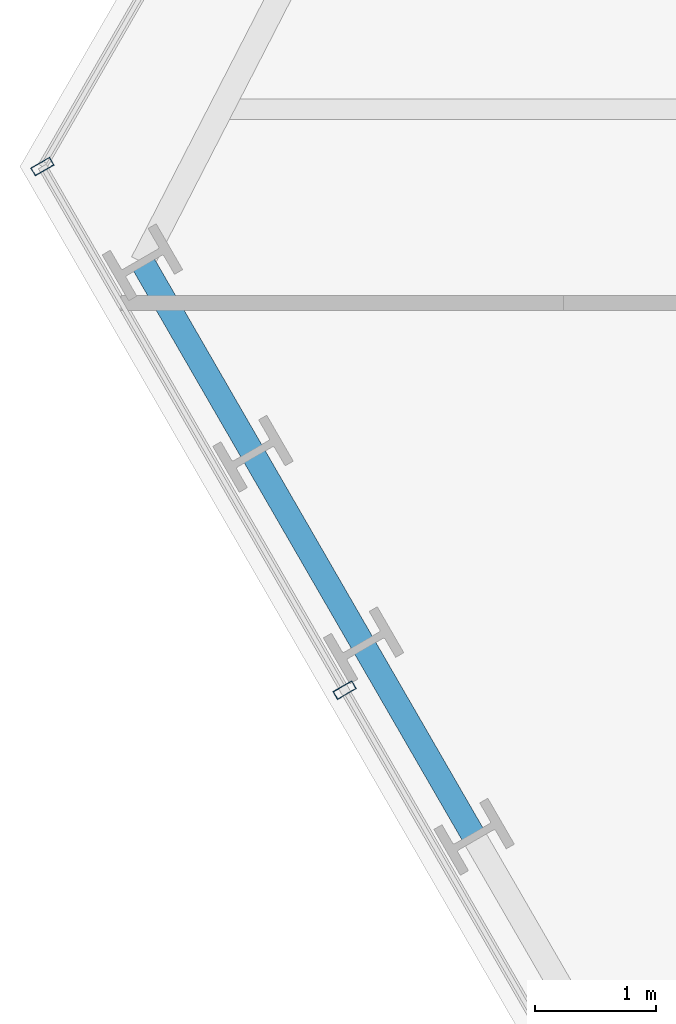
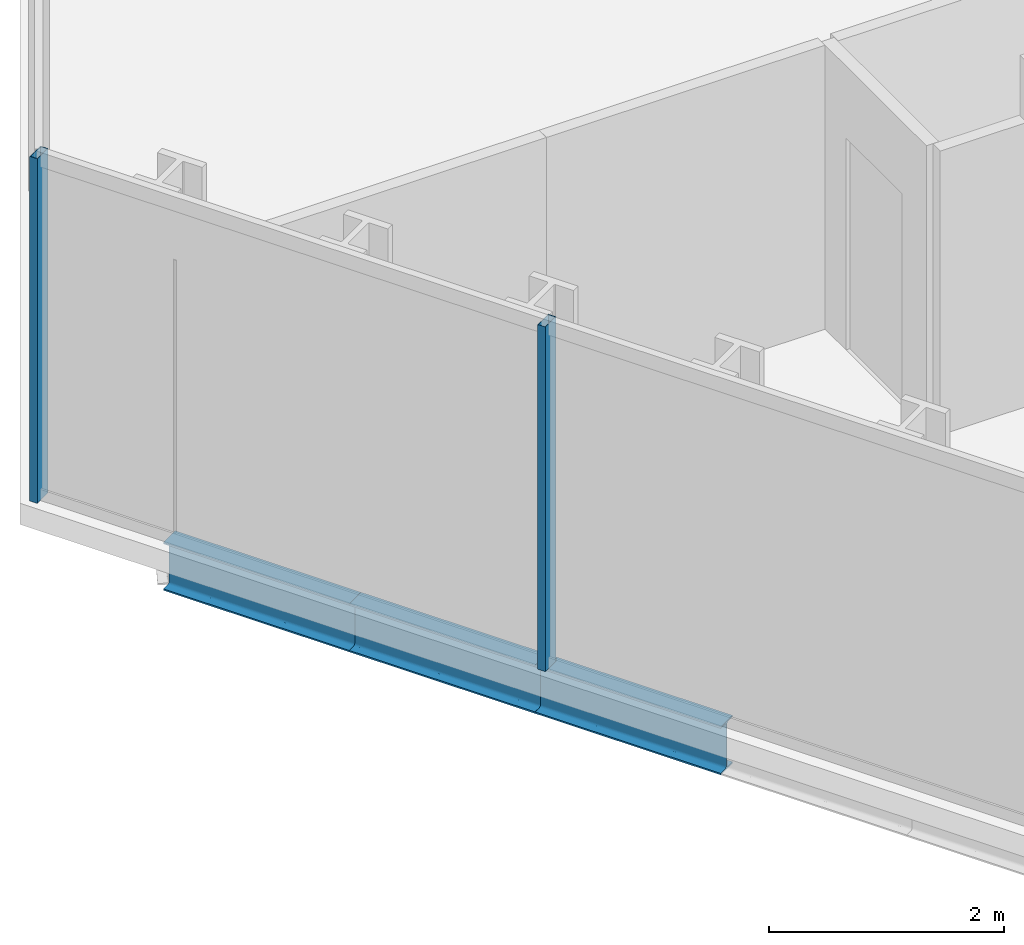
# One storey, part 5 of 32: 3 beams, 2 members, 1 element without a shape of its own.
"""IFC4 building model written with IfcOpenShell, lengths in metres."""

from ifc_helpers import new_model, si_unit, direction, frame, origin, origin_2d, place, context, subcontext, project, spatial, hollow_rectangle, i_section, extrude, material, layer, layer_set, material_profile, profile_set, type_object, element, aggregate, save


model = new_model("IFC4")

# Units and contexts
model_context = context("Model", 3, precision=1e-05, world=origin(), true_north=direction((0.0, 1.0)))
body_context = subcontext(model_context, "Body", "Model", "MODEL_VIEW")
ifc_project = project(units=[si_unit("LENGTHUNIT", "METRE"), si_unit("AREAUNIT", "SQUARE_METRE"), si_unit("VOLUMEUNIT", "CUBIC_METRE"), si_unit("PLANEANGLEUNIT", "RADIAN"), si_unit("MASSUNIT", "GRAM", prefix="KILO")], contexts=[model_context])

# Site, building, storey
site_placement = place(None, origin())
site = spatial("IfcSite", under=ifc_project, at=site_placement, CompositionType="ELEMENT")
building_placement = place(site_placement, origin())
building = spatial("IfcBuilding", under=site, at=building_placement, Name="Ndaravel Arena Tower", CompositionType="ELEMENT")
storey_placement = place(building_placement, frame((0.0, 0.0, 74.0)))
storey = spatial("IfcBuildingStorey", under=building, at=storey_placement, Name="L16", CompositionType="ELEMENT", Elevation=74.0)

# Beams
ifc_material_1 = material(Name="Steel S355", Category="steel")
ifc_material_profile_1 = material_profile(ifc_material_1, i_section(OverallWidth=0.199951171875, OverallDepth=0.5, WebThickness=0.01025390625, FlangeThickness=0.01611328125, FilletRadius=0.02099609375, at=origin_2d()), Name="IPE 500")
ifc_profile_set_1 = profile_set([ifc_material_profile_1], Name="Steel S355")
beam_type = type_object("IfcBeamType", Name="BM-SPAN-IPE500", PredefinedType="SPANDREL", material=ifc_profile_set_1)
for number, where, z_axis, x_axis, name in (
    (1, (19.324462890625, 17.336669921875, -0.469970703125), (0.500065901226, -0.86598735235, 0.0), (0.86598735235, 0.500065901226, 0.0), "L16 Perimeter Spandrel Beam SP-20"),
    (2, (20.2373046875, 15.755859375, -0.469970703125), (0.499907684424, -0.866078695647, 0.0), (0.866078695647, 0.499907684424, 0.0), "L16 Perimeter Spandrel Beam SP-21"),
    (3, (21.14990234375, 14.1748046875, -0.469970703125), (0.499965592563, -0.866045268016, 0.0), (0.866045268016, 0.499965592563, 0.0), "L16 Perimeter Spandrel Beam SP-22"),
):
    element("IfcBeam", number, at=place(storey_placement, frame(where, z_axis=z_axis, x_axis=x_axis)), inside=storey, type_object=beam_type, Name=name, PredefinedType="SPANDREL", context=body_context, shape_type="SweptSolid", body=[
        extrude(i_section(OverallWidth=0.199951171875, OverallDepth=0.5, WebThickness=0.01025390625, FlangeThickness=0.01611328125, FilletRadius=0.02099609375, at=origin_2d()), origin(), (0.0, 0.0, 1.0), 1.825439453125),
    ])

# Curtain wall, members
ifc_material_2 = material(Name="Aluminium", Category="aluminium")
ifc_layer = layer(ifc_material_2, 0.179931640625)
ifc_layer_set = layer_set([ifc_layer], Name="Aluminium")
curtain_wall_type = type_object("IfcCurtainWallType", Name="CW-SYS-02", PredefinedType="NOTDEFINED", material=ifc_layer_set)
curtain_wall_placement = place(storey_placement, origin())
curtain_wall = element("IfcCurtainWall", 4, at=curtain_wall_placement, inside=storey, type_object=curtain_wall_type, Name="L16 Faceted Crystal Curtain Wall CW-L16-E06", PredefinedType="NOTDEFINED")
ifc_material_3 = material(Name="Aluminium", Category="aluminium")
ifc_material_profile_2 = material_profile(ifc_material_3, hollow_rectangle(XDim=0.074951171875, YDim=0.179931640625, WallThickness=0.00390625, at=origin_2d()), Name="CW MULLION 75x180x4")
ifc_profile_set_2 = profile_set([ifc_material_profile_2], Name="Aluminium")
member_type = type_object("IfcMemberType", Name="MEM-CW-MUL180", PredefinedType="MULLION", material=ifc_profile_set_2)
member_1_placement = place(storey_placement, frame((18.49853515625, 18.127197265625, 0.0), z_axis=(0.0, 0.0, 1.0), x_axis=(0.5, -0.866025403784, 0.0)))
member_1 = element("IfcMember", 5, at=member_1_placement, type_object=member_type, Name="CW-L16-E06 Mullion 00", PredefinedType="MULLION", context=body_context, shape_type="SweptSolid", body=[
    extrude(hollow_rectangle(XDim=0.074951171875, YDim=0.179931640625, WallThickness=0.00390625, at=origin_2d()), origin(), (0.0, 0.0, 1.0), 3.580078125),
])
member_2_placement = place(storey_placement, frame((20.994140625, 13.8046875, 0.0), z_axis=(0.0, 0.0, 1.0), x_axis=(0.5, -0.866025403784, 0.0)))
member_2 = element("IfcMember", 6, at=member_2_placement, type_object=member_type, Name="CW-L16-E06 Mullion 01", PredefinedType="MULLION", context=body_context, shape_type="SweptSolid", body=[
    extrude(hollow_rectangle(XDim=0.074951171875, YDim=0.179931640625, WallThickness=0.00390625, at=origin_2d()), origin(), (0.0, 0.0, 1.0), 3.580078125),
])
aggregate(curtain_wall, [member_1, member_2])

save(model, "model.ifc")
